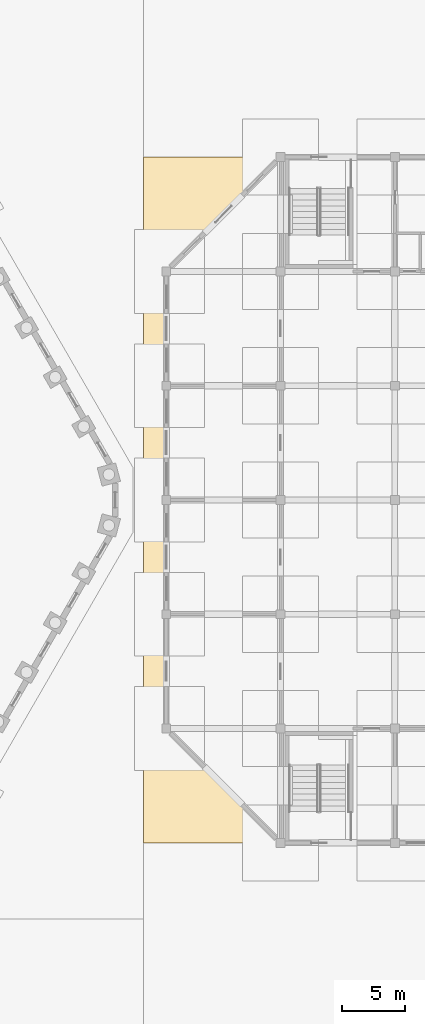
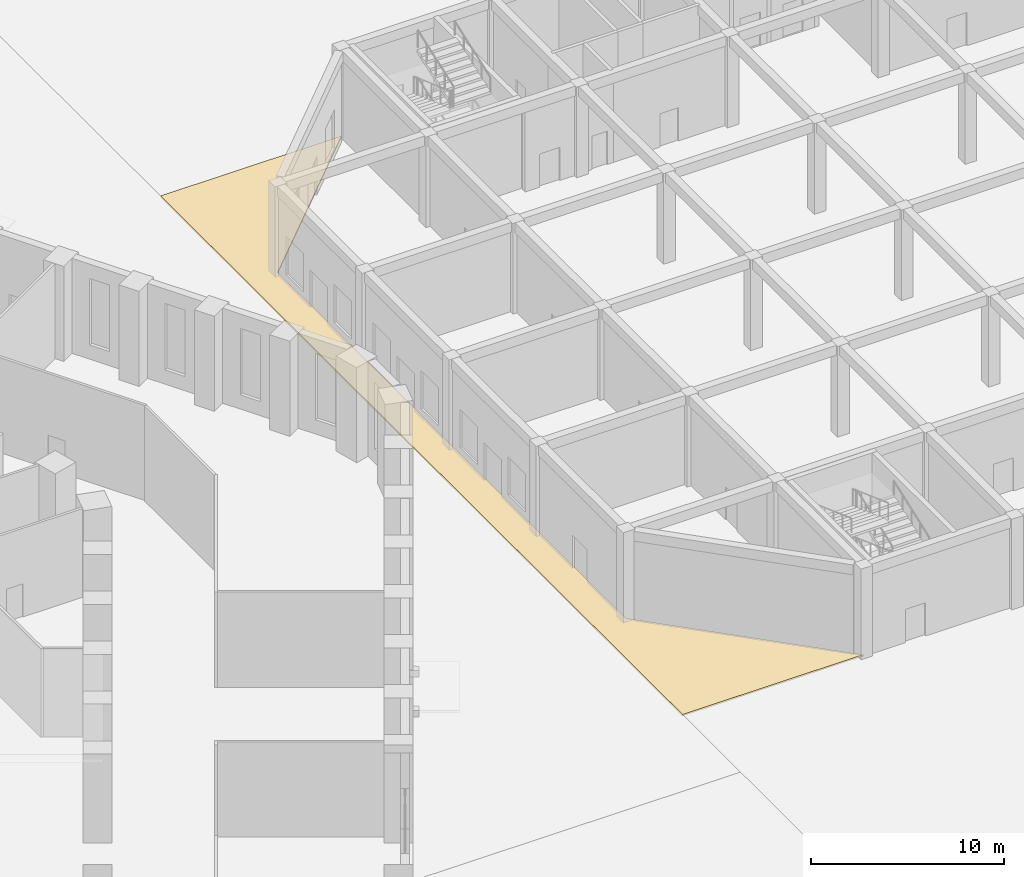
# One storey, part 40 of 44: 1 covering.
"""IFC4 building model written with IfcOpenShell, lengths in metres."""

from ifc_helpers import new_model, si_unit, direction, frame, origin, place, context, subcontext, project, spatial, polyline, outline, extrude, material, layer, layer_set, type_object, element, save


model = new_model("IFC4")

# Units and contexts
model_context = context("Model", 3, precision=1e-05, world=origin(), true_north=direction((0.0, 1.0)))
body_context = subcontext(model_context, "Body", "Model", "MODEL_VIEW")
ifc_project = project(units=[si_unit("LENGTHUNIT", "METRE"), si_unit("AREAUNIT", "SQUARE_METRE"), si_unit("VOLUMEUNIT", "CUBIC_METRE"), si_unit("PLANEANGLEUNIT", "RADIAN"), si_unit("MASSUNIT", "GRAM", prefix="KILO")], contexts=[model_context])

# Site, building, storey
site_placement = place(None, origin())
site = spatial("IfcSite", under=ifc_project, at=site_placement, CompositionType="ELEMENT")
building_placement = place(site_placement, origin())
building = spatial("IfcBuilding", under=site, at=building_placement, Name="Dhurran Vertical Campus", CompositionType="ELEMENT")
storey_placement = place(building_placement, origin())
storey = spatial("IfcBuildingStorey", under=building, at=storey_placement, Name="L00", CompositionType="ELEMENT", Elevation=0.0)

# Covering
ifc_material = material(Name="Concrete C35/45", Category="concrete")
ifc_layer = layer(ifc_material, 0.10009765625)
ifc_layer_set = layer_set([ifc_layer], Name="Concrete C35/45")
covering_type = type_object("IfcCoveringType", Name="st-ground paving 100", PredefinedType="USERDEFINED", material=ifc_layer_set)
covering_placement = place(storey_placement, frame((0.0, 0.0, -0.10009765625)))
element("IfcCovering", 1, at=covering_placement, inside=storey, type_object=covering_type, Name="Hall surround paving D2", ObjectType="PAVING", PredefinedType="USERDEFINED", context=body_context, shape_type="SweptSolid", body=[
    extrude(outline(polyline([(70.5, 27.0), (59.699951171875, 27.0), (59.699951171875, -27.0), (70.5, -27.0), (61.5, -18.0), (61.5, 18.0), (70.5, 27.0)])), origin(), (0.0, 0.0, 1.0), 0.10009765625),
])

save(model, "model.ifc")
